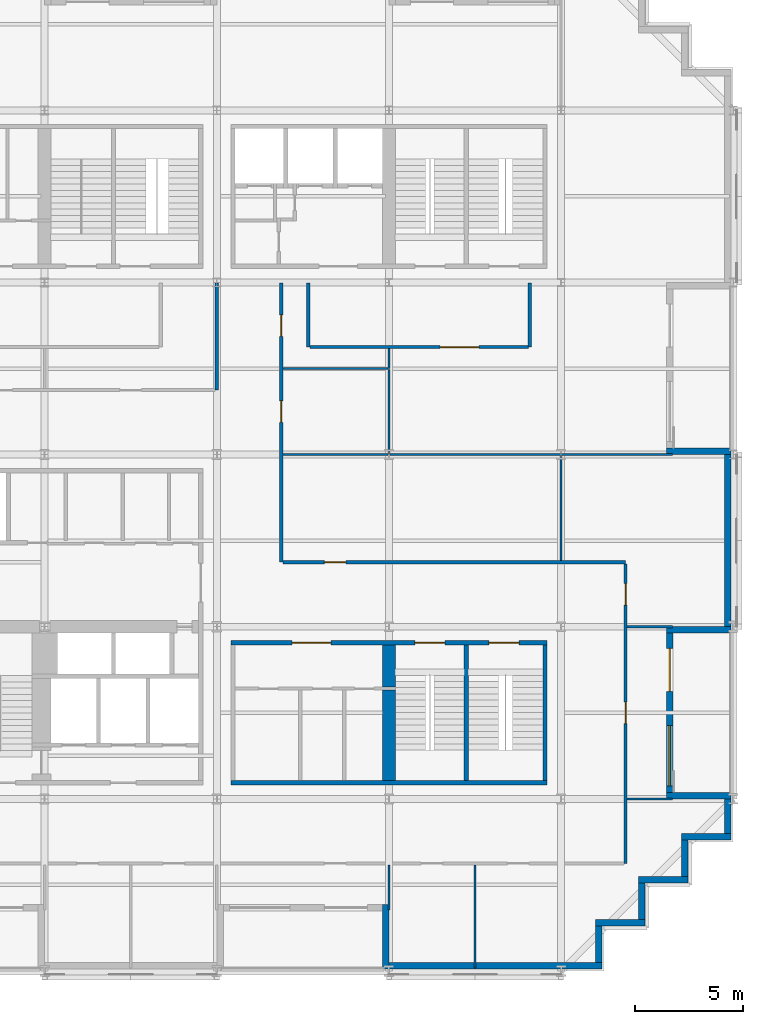
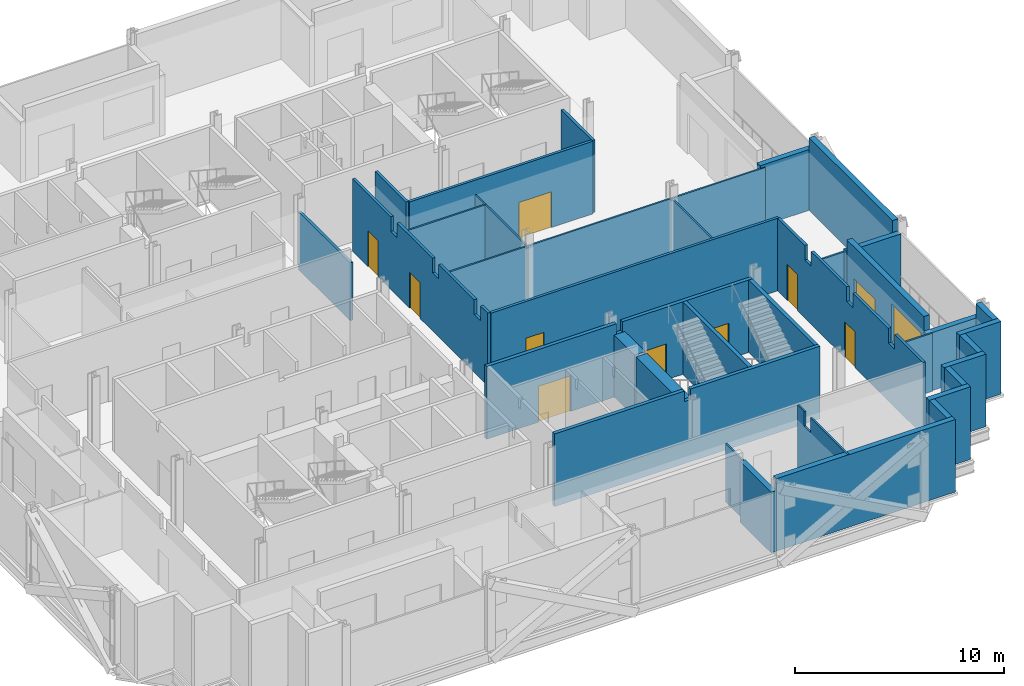
# One storey, part 7 of 12: 38 walls, 10 doors, 1 window, 11 openings.
"""IFC4 building model written with IfcOpenShell, lengths in metres."""

from ifc_helpers import new_model, si_unit, direction, frame, frame_2d, origin, place, context, subcontext, project, spatial, polyline, rectangle, outline, extrude, material, layer, layer_set, type_object, element, fill, save


model = new_model("IFC4")

# Units and contexts
model_context = context("Model", 3, precision=1e-05, world=origin(), true_north=direction((0.0, 1.0)))
body_context = subcontext(model_context, "Body", "Model", "MODEL_VIEW")
ifc_project = project(units=[si_unit("LENGTHUNIT", "METRE"), si_unit("AREAUNIT", "SQUARE_METRE"), si_unit("VOLUMEUNIT", "CUBIC_METRE"), si_unit("PLANEANGLEUNIT", "RADIAN"), si_unit("MASSUNIT", "GRAM", prefix="KILO")], contexts=[model_context])

# Site, building, storey
site_placement = place(None, origin())
site = spatial("IfcSite", under=ifc_project, at=site_placement, CompositionType="ELEMENT")
building_placement = place(site_placement, origin())
building = spatial("IfcBuilding", under=site, at=building_placement, Name="Immortelle Media Tower", CompositionType="ELEMENT")
storey_placement = place(building_placement, frame((0.0, 0.0, 52.39990234375)))
storey = spatial("IfcBuildingStorey", under=building, at=storey_placement, Name="L08", CompositionType="ELEMENT", Elevation=52.39990234375)

# Wall, openings, doors
ifc_material_1 = material(Name="Fire-rated gypsum board", Category="gypsum")
ifc_layer_1 = layer(ifc_material_1, 0.012451171875)
ifc_material_2 = material(Name="Steel ASTM A653 SS Gr 50 stud frame with mineral wool", Category="steel")
ifc_layer_2 = layer(ifc_material_2, 0.125)
ifc_layer_3 = layer(ifc_material_1, 0.012451171875)
ifc_layer_set_1 = layer_set([ifc_layer_1, ifc_layer_2, ifc_layer_3], Name="Steel ASTM A653 SS Gr 50 stud frame with mineral wool")
wall_type_1 = type_object("IfcWallType", Name="Corridor wall 150", PredefinedType="PARTITIONING", material=ifc_layer_set_1)
wall_1_placement = place(storey_placement, frame((43.0, 5.0, 0.0), z_axis=(0.0, 0.0, 1.0), x_axis=(0.0, 1.0, 0.0)))
wall_1 = element("IfcWall", 1, at=wall_1_placement, inside=storey, type_object=wall_type_1, Name="Partition L08-009", PredefinedType="PARTITIONING", context=body_context, shape_type="SweptSolid", body=[
    extrude(outline(polyline([(0.0, 0.0), (13.925048828125, 0.0), (13.925048828125, 4.25), (11.300048828125, 4.25), (11.298095703125, 3.39111328125), (10.701904296875, 3.39111328125), (10.699951171875, 4.25), (7.300048828125, 4.25), (7.298095703125, 3.39111328125), (6.701904296875, 3.39111328125), (6.699951171875, 4.25), (3.300048828125, 4.25), (3.298095703125, 3.39111328125), (2.701904296875, 3.39111328125), (2.699951171875, 4.25), (0.0, 4.25), (0.0, 0.0)])), frame((0.0, 0.074951171875, 0.0), z_axis=(0.0, -1.0, 0.0), x_axis=(1.0, 0.0, 0.0)), (0.0, 0.0, 1.0), 0.14990234375),
])
opening_1_placement = place(wall_1_placement, frame((7.5, 0.0, 0.0), z_axis=(0.0, 0.0, 1.0), x_axis=(-1.0, 0.0, 0.0)))
opening_1 = element("IfcOpeningElement", 2, at=opening_1_placement, cuts=wall_1, Name="Opening N2-F008", PredefinedType="OPENING", context=body_context, shape_type="SweptSolid", body=[
    extrude(rectangle(XDim=1.0, YDim=2.10009765625, at=frame_2d((0.5, 1.050048828125))), frame((0.0, 0.0849609375, 0.0), z_axis=(0.0, -1.0, 0.0), x_axis=(1.0, 0.0, 0.0)), (0.0, 0.0, 1.0), 0.169921875),
])
opening_2_placement = place(wall_1_placement, frame((13.0, 0.0, 0.0), z_axis=(0.0, 0.0, 1.0), x_axis=(-1.0, 0.0, 0.0)))
opening_2 = element("IfcOpeningElement", 3, at=opening_2_placement, cuts=wall_1, Name="Opening N2-F011", PredefinedType="OPENING", context=body_context, shape_type="SweptSolid", body=[
    extrude(rectangle(XDim=1.0, YDim=2.10009765625, at=frame_2d((0.5, 1.050048828125))), frame((0.0, 0.0849609375, 0.0), z_axis=(0.0, -1.0, 0.0), x_axis=(1.0, 0.0, 0.0)), (0.0, 0.0, 1.0), 0.169921875),
])
ifc_material_3 = material(Name="Timber veneered door leaf, galvanised steel frame ASTM A653", Category="steel")
door_type_1 = type_object("IfcDoorType", Name="Room door 1000 x 2100", OperationType="NOTDEFINED", PredefinedType="DOOR", material=ifc_material_3)
door_1_placement = place(opening_1_placement, origin())
door_1 = element("IfcDoor", 4, at=door_1_placement, inside=storey, type_object=door_type_1, Name="Door N2-F008", OperationType="SINGLE_SWING_LEFT", OverallHeight=2.10009765625, OverallWidth=1.0, PredefinedType="DOOR", context=body_context, shape_type="SweptSolid", body=[
    extrude(rectangle(XDim=1.0, YDim=2.10009765625, at=frame_2d((0.5, 1.050048828125))), frame((0.0, 0.02490234375, 0.0), z_axis=(0.0, -1.0, 0.0), x_axis=(1.0, 0.0, 0.0)), (0.0, 0.0, 1.0), 0.050048828125),
])
fill(opening_1, door_1)
door_2_placement = place(opening_2_placement, origin())
door_2 = element("IfcDoor", 5, at=door_2_placement, inside=storey, type_object=door_type_1, Name="Door N2-F011", OperationType="SINGLE_SWING_RIGHT", OverallHeight=2.10009765625, OverallWidth=1.0, PredefinedType="DOOR", context=body_context, shape_type="SweptSolid", body=[
    extrude(rectangle(XDim=1.0, YDim=2.10009765625, at=frame_2d((0.5, 1.050048828125))), frame((0.0, 0.02490234375, 0.0), z_axis=(0.0, -1.0, 0.0), x_axis=(1.0, 0.0, 0.0)), (0.0, 0.0, 1.0), 0.050048828125),
])
fill(opening_2, door_2)

# Wall, opening, door
wall_2_placement = place(storey_placement, frame((27.074951171875, 19.0, 0.0), z_axis=(0.0, 0.0, 1.0), x_axis=(1.0, 0.0, 0.0)))
wall_2 = element("IfcWall", 6, at=wall_2_placement, inside=storey, type_object=wall_type_1, Name="Partition L08-013", PredefinedType="PARTITIONING", context=body_context, shape_type="SweptSolid", body=[
    extrude(rectangle(XDim=15.925048828125, YDim=0.14990234375, at=frame_2d((7.96240234375, 0.0))), origin(), (0.0, 0.0, 1.0), 4.25),
])
opening_3_placement = place(wall_2_placement, frame((1.925048828125, 0.0, 0.0)))
opening_3 = element("IfcOpeningElement", 7, at=opening_3_placement, cuts=wall_2, Name="Opening N2-F012", PredefinedType="OPENING", context=body_context, shape_type="SweptSolid", body=[
    extrude(rectangle(XDim=1.0, YDim=2.10009765625, at=frame_2d((0.5, 1.050048828125))), frame((0.0, 0.0849609375, 0.0), z_axis=(0.0, -1.0, 0.0), x_axis=(1.0, 0.0, 0.0)), (0.0, 0.0, 1.0), 0.169921875),
])
door_3_placement = place(opening_3_placement, origin())
door_3 = element("IfcDoor", 8, at=door_3_placement, inside=storey, type_object=door_type_1, Name="Door N2-F012", OperationType="SINGLE_SWING_LEFT", OverallHeight=2.10009765625, OverallWidth=1.0, PredefinedType="DOOR", context=body_context, shape_type="SweptSolid", body=[
    extrude(rectangle(XDim=1.0, YDim=2.10009765625, at=frame_2d((0.5, 1.050048828125))), frame((0.0, 0.02490234375, 0.0), z_axis=(0.0, -1.0, 0.0), x_axis=(1.0, 0.0, 0.0)), (0.0, 0.0, 1.0), 0.050048828125),
])
fill(opening_3, door_3)

# Wall, openings, doors
wall_3_placement = place(storey_placement, frame((27.0, 19.0, 0.0), z_axis=(0.0, 0.0, 1.0), x_axis=(0.0, 1.0, 0.0)))
wall_3 = element("IfcWall", 9, at=wall_3_placement, inside=storey, type_object=wall_type_1, Name="Partition L08-014", PredefinedType="PARTITIONING", context=body_context, shape_type="SweptSolid", body=[
    extrude(outline(polyline([(0.0, 0.0), (12.969970703125, 0.0), (12.969970703125, 4.25), (9.300048828125, 4.25), (9.298095703125, 3.39111328125), (8.701904296875, 3.39111328125), (8.699951171875, 4.25), (5.300048828125, 4.25), (5.298095703125, 3.39111328125), (4.701904296875, 3.39111328125), (4.699951171875, 4.25), (1.300048828125, 4.25), (1.298095703125, 3.39111328125), (0.701904296875, 3.39111328125), (0.699951171875, 4.25), (0.0, 4.25), (0.0, 0.0)])), frame((0.0, 0.074951171875, 0.0), z_axis=(0.0, -1.0, 0.0), x_axis=(1.0, 0.0, 0.0)), (0.0, 0.0, 1.0), 0.14990234375),
])
opening_4_placement = place(wall_3_placement, frame((7.5, 0.0, 0.0), z_axis=(0.0, 0.0, 1.0), x_axis=(-1.0, 0.0, 0.0)))
opening_4 = element("IfcOpeningElement", 10, at=opening_4_placement, cuts=wall_3, Name="Opening N2-F013", PredefinedType="OPENING", context=body_context, shape_type="SweptSolid", body=[
    extrude(rectangle(XDim=1.0, YDim=2.10009765625, at=frame_2d((0.5, 1.050048828125))), frame((0.0, 0.0849609375, 0.0), z_axis=(0.0, -1.0, 0.0), x_axis=(1.0, 0.0, 0.0)), (0.0, 0.0, 1.0), 0.169921875),
])
opening_5_placement = place(wall_3_placement, frame((11.5, 0.0, 0.0), z_axis=(0.0, 0.0, 1.0), x_axis=(-1.0, 0.0, 0.0)))
opening_5 = element("IfcOpeningElement", 11, at=opening_5_placement, cuts=wall_3, Name="Opening N2-F014", PredefinedType="OPENING", context=body_context, shape_type="SweptSolid", body=[
    extrude(rectangle(XDim=1.0, YDim=2.10009765625, at=frame_2d((0.5, 1.050048828125))), frame((0.0, 0.0849609375, 0.0), z_axis=(0.0, -1.0, 0.0), x_axis=(1.0, 0.0, 0.0)), (0.0, 0.0, 1.0), 0.169921875),
])
door_4_placement = place(opening_4_placement, origin())
door_4 = element("IfcDoor", 12, at=door_4_placement, inside=storey, type_object=door_type_1, Name="Door N2-F013", OperationType="SINGLE_SWING_LEFT", OverallHeight=2.10009765625, OverallWidth=1.0, PredefinedType="DOOR", context=body_context, shape_type="SweptSolid", body=[
    extrude(rectangle(XDim=1.0, YDim=2.10009765625, at=frame_2d((0.5, 1.050048828125))), frame((0.0, 0.02490234375, 0.0), z_axis=(0.0, -1.0, 0.0), x_axis=(1.0, 0.0, 0.0)), (0.0, 0.0, 1.0), 0.050048828125),
])
fill(opening_4, door_4)
door_5_placement = place(opening_5_placement, origin())
door_5 = element("IfcDoor", 13, at=door_5_placement, inside=storey, type_object=door_type_1, Name="Door N2-F014", OperationType="SINGLE_SWING_RIGHT", OverallHeight=2.10009765625, OverallWidth=1.0, PredefinedType="DOOR", context=body_context, shape_type="SweptSolid", body=[
    extrude(rectangle(XDim=1.0, YDim=2.10009765625, at=frame_2d((0.5, 1.050048828125))), frame((0.0, 0.02490234375, 0.0), z_axis=(0.0, -1.0, 0.0), x_axis=(1.0, 0.0, 0.0)), (0.0, 0.0, 1.0), 0.050048828125),
])
fill(opening_5, door_5)

# Wall
wall_4_placement = place(storey_placement, frame((24.0, 27.0, 0.0), z_axis=(0.0, 0.0, 1.0), x_axis=(0.0, 1.0, 0.0)))
element("IfcWall", 14, at=wall_4_placement, inside=storey, type_object=wall_type_1, Name="Partition L08-026", PredefinedType="PARTITIONING", context=body_context, shape_type="SweptSolid", body=[
    extrude(rectangle(XDim=4.969970703125, YDim=0.14990234375, at=frame_2d((2.48486328125, 0.0))), origin(), (0.0, 0.0, 1.0), 3.39111328125),
])

# Wall, opening, door
wall_5_placement = place(storey_placement, frame((28.324951171875, 29.0, 0.0), z_axis=(0.0, 0.0, 1.0), x_axis=(1.0, 0.0, 0.0)))
wall_5 = element("IfcWall", 15, at=wall_5_placement, inside=storey, type_object=wall_type_1, Name="Partition L08-032", PredefinedType="PARTITIONING", context=body_context, shape_type="SweptSolid", body=[
    extrude(rectangle(XDim=10.150146484375, YDim=0.14990234375, at=frame_2d((5.0751953125, 0.0))), origin(), (0.0, 0.0, 1.0), 4.25),
])
opening_6_placement = place(wall_5_placement, frame((6.050048828125, 0.0, 0.0)))
opening_6 = element("IfcOpeningElement", 16, at=opening_6_placement, cuts=wall_5, Name="Opening N2-F018", PredefinedType="OPENING", context=body_context, shape_type="SweptSolid", body=[
    extrude(rectangle(XDim=1.800048828125, YDim=2.10009765625, at=frame_2d((0.89990234375, 1.050048828125))), frame((0.0, 0.0849609375, 0.0), z_axis=(0.0, -1.0, 0.0), x_axis=(1.0, 0.0, 0.0)), (0.0, 0.0, 1.0), 0.169921875),
])
door_type_2 = type_object("IfcDoorType", Name="Room door 1800 x 2100", OperationType="DOUBLE_DOOR_SINGLE_SWING", PredefinedType="DOOR", material=ifc_material_3)
door_6_placement = place(opening_6_placement, origin())
door_6 = element("IfcDoor", 17, at=door_6_placement, inside=storey, type_object=door_type_2, Name="Door N2-F018", OperationType="DOUBLE_DOOR_SINGLE_SWING", OverallHeight=2.10009765625, OverallWidth=1.800048828125, PredefinedType="DOOR", context=body_context, shape_type="SweptSolid", body=[
    extrude(rectangle(XDim=1.800048828125, YDim=2.10009765625, at=frame_2d((0.89990234375, 1.050048828125))), frame((0.0, 0.02490234375, 0.0), z_axis=(0.0, -1.0, 0.0), x_axis=(1.0, 0.0, 0.0)), (0.0, 0.0, 1.0), 0.050048828125),
])
fill(opening_6, door_6)

# Walls
for number, where, z_axis, x_axis, name in (
    (18, (28.25, 29.0, 0.0), (0.0, 0.0, 1.0), (0.0, 1.0, 0.0), "Partition L08-033"),
    (19, (38.550048828125, 29.0, 0.0), (0.0, 0.0, 1.0), (0.0, 1.0, 0.0), "Partition L08-034"),
):
    element("IfcWall", number, at=place(storey_placement, frame(where, z_axis=z_axis, x_axis=x_axis)), inside=storey, type_object=wall_type_1, Name=name, PredefinedType="PARTITIONING", context=body_context, shape_type="SweptSolid", body=[
        extrude(rectangle(XDim=2.969970703125, YDim=0.14990234375, at=frame_2d((1.48486328125, 0.0))), origin(), (0.0, 0.0, 1.0), 4.25),
    ])
ifc_material_4 = material(Name="Pale aluminium cladding panel", Category="aluminium")
ifc_layer_4 = layer(ifc_material_4, 0.030029296875)
ifc_layer_5 = layer(ifc_material_2, 0.257568359375)
ifc_material_5 = material(Name="Moisture-resistant gypsum board", Category="gypsum")
ifc_layer_6 = layer(ifc_material_5, 0.012451171875)
ifc_layer_set_2 = layer_set([ifc_layer_4, ifc_layer_5, ifc_layer_6], Name="Steel ASTM A653 SS Gr 50 stud frame with mineral wool")
wall_type_2 = type_object("IfcWallType", Name="Facade wall 300", PredefinedType="SOLIDWALL", material=ifc_layer_set_2)
wall_6_placement = place(storey_placement, frame((31.85009765625, 0.10009765625, 0.0), z_axis=(0.0, 0.0, 1.0), x_axis=(0.0, 1.0, 0.0)))
element("IfcWall", 20, at=wall_6_placement, inside=storey, type_object=wall_type_2, Name="Loggia cheek wall L08 S", PredefinedType="SOLIDWALL", context=body_context, shape_type="SweptSolid", body=[
    extrude(rectangle(XDim=3.0, YDim=0.300048828125, at=frame_2d((1.5, 0.0))), origin(), (0.0, 0.0, 1.0), 3.552978515625),
])
wall_7_placement = place(storey_placement, frame((32.0, 0.25, 0.0), z_axis=(0.0, 0.0, 1.0), x_axis=(1.0, 0.0, 0.0)))
element("IfcWall", 21, at=wall_7_placement, inside=storey, type_object=wall_type_2, Name="Facade wall L08 S7", PredefinedType="SOLIDWALL", context=body_context, shape_type="SweptSolid", body=[
    extrude(rectangle(XDim=9.89990234375, YDim=0.300048828125, at=frame_2d((4.949951171875, 0.0))), origin(), (0.0, 0.0, 1.0), 4.25),
])
wall_8_placement = place(storey_placement, frame((41.75, 0.39990234375, 0.0), z_axis=(0.0, 0.0, 1.0), x_axis=(0.0, 1.0, 0.0)))
element("IfcWall", 22, at=wall_8_placement, inside=storey, type_object=wall_type_2, Name="Facade wall L08 E8", PredefinedType="SOLIDWALL", context=body_context, shape_type="SweptSolid", body=[
    extrude(rectangle(XDim=1.7001953125, YDim=0.300048828125, at=frame_2d((0.85009765625, 0.0))), origin(), (0.0, 0.0, 1.0), 4.25),
])
wall_9_placement = place(storey_placement, frame((41.60009765625, 2.25, 0.0), z_axis=(0.0, 0.0, 1.0), x_axis=(1.0, 0.0, 0.0)))
element("IfcWall", 23, at=wall_9_placement, inside=storey, type_object=wall_type_2, Name="Facade wall L08 S9", PredefinedType="SOLIDWALL", context=body_context, shape_type="SweptSolid", body=[
    extrude(rectangle(XDim=2.2998046875, YDim=0.300048828125, at=frame_2d((1.14990234375, 0.0))), origin(), (0.0, 0.0, 1.0), 4.25),
])
wall_10_placement = place(storey_placement, frame((43.75, 2.39990234375, 0.0), z_axis=(0.0, 0.0, 1.0), x_axis=(0.0, 1.0, 0.0)))
element("IfcWall", 24, at=wall_10_placement, inside=storey, type_object=wall_type_2, Name="Facade wall L08 E10", PredefinedType="SOLIDWALL", context=body_context, shape_type="SweptSolid", body=[
    extrude(rectangle(XDim=1.7001953125, YDim=0.300048828125, at=frame_2d((0.85009765625, 0.0))), origin(), (0.0, 0.0, 1.0), 4.25),
])
wall_11_placement = place(storey_placement, frame((43.60009765625, 4.25, 0.0), z_axis=(0.0, 0.0, 1.0), x_axis=(1.0, 0.0, 0.0)))
element("IfcWall", 25, at=wall_11_placement, inside=storey, type_object=wall_type_2, Name="Facade wall L08 S11", PredefinedType="SOLIDWALL", context=body_context, shape_type="SweptSolid", body=[
    extrude(rectangle(XDim=2.2998046875, YDim=0.300048828125, at=frame_2d((1.14990234375, 0.0))), origin(), (0.0, 0.0, 1.0), 4.25),
])
wall_12_placement = place(storey_placement, frame((45.75, 4.39990234375, 0.0), z_axis=(0.0, 0.0, 1.0), x_axis=(0.0, 1.0, 0.0)))
element("IfcWall", 26, at=wall_12_placement, inside=storey, type_object=wall_type_2, Name="Facade wall L08 E12", PredefinedType="SOLIDWALL", context=body_context, shape_type="SweptSolid", body=[
    extrude(rectangle(XDim=1.7001953125, YDim=0.300048828125, at=frame_2d((0.85009765625, 0.0))), origin(), (0.0, 0.0, 1.0), 4.25),
])
wall_13_placement = place(storey_placement, frame((45.60009765625, 6.25, 0.0), z_axis=(0.0, 0.0, 1.0), x_axis=(1.0, 0.0, 0.0)))
element("IfcWall", 27, at=wall_13_placement, inside=storey, type_object=wall_type_2, Name="Facade wall L08 S13", PredefinedType="SOLIDWALL", context=body_context, shape_type="SweptSolid", body=[
    extrude(rectangle(XDim=2.2998046875, YDim=0.300048828125, at=frame_2d((1.14990234375, 0.0))), origin(), (0.0, 0.0, 1.0), 4.25),
])
wall_14_placement = place(storey_placement, frame((47.75, 6.39990234375, 0.0), z_axis=(0.0, 0.0, 1.0), x_axis=(0.0, 1.0, 0.0)))
element("IfcWall", 28, at=wall_14_placement, inside=storey, type_object=wall_type_2, Name="Facade wall L08 E14", PredefinedType="SOLIDWALL", context=body_context, shape_type="SweptSolid", body=[
    extrude(rectangle(XDim=1.60009765625, YDim=0.300048828125, at=frame_2d((0.800048828125, 0.0))), origin(), (0.0, 0.0, 1.0), 4.25),
])

# Wall, openings, door, window
wall_15_placement = place(storey_placement, frame((45.050048828125, 8.300048828125, 0.0), z_axis=(0.0, 0.0, 1.0), x_axis=(0.0, 1.0, 0.0)))
wall_15 = element("IfcWall", 29, at=wall_15_placement, inside=storey, type_object=wall_type_2, Name="Loggia wall L08 E14", PredefinedType="SOLIDWALL", context=body_context, shape_type="SweptSolid", body=[
    extrude(rectangle(XDim=7.39990234375, YDim=0.300048828125, at=frame_2d((3.699951171875, 0.0))), origin(), (0.0, 0.0, 1.0), 4.25),
])
opening_7_placement = place(wall_15_placement, frame((0.300048828125, 0.0, 0.89990234375)))
opening_7 = element("IfcOpeningElement", 30, at=opening_7_placement, cuts=wall_15, Name="Opening W1", PredefinedType="OPENING", context=body_context, shape_type="SweptSolid", body=[
    extrude(rectangle(XDim=2.800048828125, YDim=2.199951171875, at=frame_2d((1.39990234375, 1.10009765625))), frame((0.0, 0.159912109375, 0.0), z_axis=(0.0, -1.0, 0.0), x_axis=(1.0, 0.0, 0.0)), (0.0, 0.0, 1.0), 0.320068359375),
])
opening_8_placement = place(wall_15_placement, frame((4.699951171875, 0.0, 0.0)))
opening_8 = element("IfcOpeningElement", 31, at=opening_8_placement, cuts=wall_15, Name="Opening N2-E005", PredefinedType="OPENING", context=body_context, shape_type="SweptSolid", body=[
    extrude(rectangle(XDim=2.0, YDim=2.39990234375, at=frame_2d((1.0, 1.199951171875))), frame((0.0, 0.159912109375, 0.0), z_axis=(0.0, -1.0, 0.0), x_axis=(1.0, 0.0, 0.0)), (0.0, 0.0, 1.0), 0.320068359375),
])
ifc_material_6 = material(Name="Aluminium frame, glazed leaves", Category="aluminium")
door_type_3 = type_object("IfcDoorType", Name="Loggia door 2000 x 2400", OperationType="DOUBLE_DOOR_SINGLE_SWING", PredefinedType="DOOR", material=ifc_material_6)
door_7_placement = place(opening_8_placement, origin())
door_7 = element("IfcDoor", 32, at=door_7_placement, inside=storey, type_object=door_type_3, Name="Door N2-E005", OperationType="DOUBLE_DOOR_SINGLE_SWING", OverallHeight=2.39990234375, OverallWidth=2.0, PredefinedType="DOOR", context=body_context, shape_type="SweptSolid", body=[
    extrude(rectangle(XDim=2.0, YDim=2.39990234375, at=frame_2d((1.0, 1.199951171875))), frame((0.0, 0.02490234375, 0.0), z_axis=(0.0, -1.0, 0.0), x_axis=(1.0, 0.0, 0.0)), (0.0, 0.0, 1.0), 0.050048828125),
])
fill(opening_8, door_7)
ifc_material_7 = material(Name="Aluminium frame", Category="aluminium")
window_type = type_object("IfcWindowType", Name="Window 2800 x 2200", PartitioningType="SINGLE_PANEL", PredefinedType="WINDOW", material=ifc_material_7)
window_placement = place(opening_7_placement, origin())
window = element("IfcWindow", 33, at=window_placement, inside=storey, type_object=window_type, Name="Window L08 L08-R14-B0", OverallHeight=2.199951171875, OverallWidth=2.800048828125, PartitioningType="SINGLE_PANEL", PredefinedType="WINDOW", context=body_context, shape_type="SweptSolid", body=[
    extrude(rectangle(XDim=2.800048828125, YDim=2.199951171875, at=frame_2d((1.39990234375, 1.10009765625))), frame((0.0, 0.030029296875, 0.0), z_axis=(0.0, -1.0, 0.0), x_axis=(1.0, 0.0, 0.0)), (0.0, 0.0, 1.0), 0.06005859375),
])
fill(opening_7, window)

# Walls
wall_16_placement = place(storey_placement, frame((47.89990234375, 8.14990234375, 0.0), z_axis=(0.0, 0.0, 1.0), x_axis=(-1.0, 0.0, 0.0)))
element("IfcWall", 34, at=wall_16_placement, inside=storey, type_object=wall_type_2, Name="Loggia cheek wall L08 E", PredefinedType="SOLIDWALL", context=body_context, shape_type="SweptSolid", body=[
    extrude(rectangle(XDim=3.0, YDim=0.300048828125, at=frame_2d((1.5, 0.0))), origin(), (0.0, 0.0, 1.0), 3.39013671875),
])
wall_17_placement = place(storey_placement, frame((47.89990234375, 15.85009765625, 0.0), z_axis=(0.0, 0.0, 1.0), x_axis=(-1.0, 0.0, 0.0)))
element("IfcWall", 35, at=wall_17_placement, inside=storey, type_object=wall_type_2, Name="Loggia cheek wall L08 E", PredefinedType="SOLIDWALL", context=body_context, shape_type="SweptSolid", body=[
    extrude(rectangle(XDim=3.0, YDim=0.300048828125, at=frame_2d((1.5, 0.0))), origin(), (0.0, 0.0, 1.0), 3.552978515625),
])
wall_18_placement = place(storey_placement, frame((47.75, 16.0, 0.0), z_axis=(0.0, 0.0, 1.0), x_axis=(0.0, 1.0, 0.0)))
element("IfcWall", 36, at=wall_18_placement, inside=storey, type_object=wall_type_2, Name="Facade wall L08 E14", PredefinedType="SOLIDWALL", context=body_context, shape_type="SweptSolid", body=[
    extrude(rectangle(XDim=8.0, YDim=0.300048828125, at=frame_2d((4.0, 0.0))), origin(), (0.0, 0.0, 1.0), 4.25),
])
wall_19_placement = place(storey_placement, frame((47.89990234375, 24.14990234375, 0.0), z_axis=(0.0, 0.0, 1.0), x_axis=(-1.0, 0.0, 0.0)))
element("IfcWall", 37, at=wall_19_placement, inside=storey, type_object=wall_type_2, Name="Loggia cheek wall L08 E", PredefinedType="SOLIDWALL", context=body_context, shape_type="SweptSolid", body=[
    extrude(rectangle(XDim=3.0, YDim=0.300048828125, at=frame_2d((1.5, 0.0))), origin(), (0.0, 0.0, 1.0), 3.552978515625),
])
ifc_material_8 = material(Name="Gypsum board", Category="gypsum")
ifc_layer_7 = layer(ifc_material_8, 0.012451171875)
ifc_layer_8 = layer(ifc_material_2, 0.074951171875)
ifc_layer_9 = layer(ifc_material_8, 0.012451171875)
ifc_layer_set_3 = layer_set([ifc_layer_7, ifc_layer_8, ifc_layer_9], Name="Steel ASTM A653 SS Gr 50 stud frame with mineral wool")
wall_type_3 = type_object("IfcWallType", Name="Partition 100", PredefinedType="PARTITIONING", material=ifc_layer_set_3)
wall_20_placement = place(storey_placement, frame((36.0, 0.1298828125, 0.0), z_axis=(0.0, 0.0, 1.0), x_axis=(0.0, 1.0, 0.0)))
element("IfcWall", 38, at=wall_20_placement, inside=storey, type_object=wall_type_3, Name="Partition L08-002", PredefinedType="PARTITIONING", context=body_context, shape_type="SweptSolid", body=[
    extrude(outline(polyline([(0.0, 0.0), (4.795166015625, 0.0), (4.794921875, 4.25), (4.169921875, 4.25), (4.16796875, 3.39111328125), (3.572021484375, 3.39111328125), (3.570068359375, 4.25), (0.0, 4.25), (0.0, 0.0)])), frame((0.0, 0.050048828125, 0.0), z_axis=(0.0, -1.0, 0.0), x_axis=(1.0, 0.0, 0.0)), (0.0, 0.0, 1.0), 0.10009765625),
])
for number, where, z_axis, x_axis, name in (
    (39, (32.0, 2.830078125, 0.0), (0.0, 0.0, 1.0), (0.0, 1.0, 0.0), "Partition L08-006"),
    (40, (43.074951171875, 8.0, 0.0), (0.0, 0.0, 1.0), (1.0, 0.0, 0.0), "Partition L08-010"),
    (41, (43.074951171875, 16.0, 0.0), (0.0, 0.0, 1.0), (1.0, 0.0, 0.0), "Partition L08-012"),
):
    element("IfcWall", number, at=place(storey_placement, frame(where, z_axis=z_axis, x_axis=x_axis)), inside=storey, type_object=wall_type_3, Name=name, PredefinedType="PARTITIONING", context=body_context, shape_type="SweptSolid", body=[
        extrude(rectangle(XDim=2.094970703125, YDim=0.10009765625, at=frame_2d((1.04736328125, 0.0))), origin(), (0.0, 0.0, 1.0), 3.39111328125),
    ])
for number, where, z_axis, x_axis, name in (
    (42, (40.0, 19.074951171875, 0.0), (0.0, 0.0, 1.0), (0.0, 1.0, 0.0), "Partition L08-015"),
    (43, (27.074951171875, 24.0, 0.0), (0.0, 0.0, 1.0), (1.0, 0.0, 0.0), "Partition L08-018"),
):
    element("IfcWall", number, at=place(storey_placement, frame(where, z_axis=z_axis, x_axis=x_axis)), inside=storey, type_object=wall_type_3, Name=name, PredefinedType="PARTITIONING", context=body_context, shape_type="SweptSolid", body=[
        extrude(rectangle(XDim=4.875, YDim=0.10009765625, at=frame_2d((2.4375, 0.0))), origin(), (0.0, 0.0, 1.0), 3.39111328125),
    ])
wall_21_placement = place(storey_placement, frame((32.050048828125, 24.0, 0.0), z_axis=(0.0, 0.0, 1.0), x_axis=(1.0, 0.0, 0.0)))
element("IfcWall", 44, at=wall_21_placement, inside=storey, type_object=wall_type_3, Name="Partition L08-019", PredefinedType="PARTITIONING", context=body_context, shape_type="SweptSolid", body=[
    extrude(rectangle(XDim=7.949951171875, YDim=0.10009765625, at=frame_2d((3.97509765625, 0.0))), origin(), (0.0, 0.0, 1.0), 3.39111328125),
])
wall_22_placement = place(storey_placement, frame((32.0, 24.0, 0.0), z_axis=(0.0, 0.0, 1.0), x_axis=(0.0, 1.0, 0.0)))
element("IfcWall", 45, at=wall_22_placement, inside=storey, type_object=wall_type_3, Name="Partition L08-020", PredefinedType="PARTITIONING", context=body_context, shape_type="SweptSolid", body=[
    extrude(rectangle(XDim=3.949951171875, YDim=0.10009765625, at=frame_2d((1.97509765625, 0.0))), origin(), (0.0, 0.0, 1.0), 3.39111328125),
])
wall_23_placement = place(storey_placement, frame((40.0, 24.0, 0.0), z_axis=(0.0, 0.0, 1.0), x_axis=(1.0, 0.0, 0.0)))
element("IfcWall", 46, at=wall_23_placement, inside=storey, type_object=wall_type_3, Name="Partition L08-021", PredefinedType="PARTITIONING", context=body_context, shape_type="SweptSolid", body=[
    extrude(rectangle(XDim=5.169921875, YDim=0.10009765625, at=frame_2d((2.5849609375, 0.0))), origin(), (0.0, 0.0, 1.0), 3.39111328125),
])
wall_24_placement = place(storey_placement, frame((27.074951171875, 28.0, 0.0), z_axis=(0.0, 0.0, 1.0), x_axis=(1.0, 0.0, 0.0)))
element("IfcWall", 47, at=wall_24_placement, inside=storey, type_object=wall_type_3, Name="Partition L08-027", PredefinedType="PARTITIONING", context=body_context, shape_type="SweptSolid", body=[
    extrude(rectangle(XDim=4.875, YDim=0.10009765625, at=frame_2d((2.4375, 0.0))), origin(), (0.0, 0.0, 1.0), 3.39111328125),
])
wall_25_placement = place(storey_placement, frame((32.0, 28.0, 0.0), z_axis=(0.0, 0.0, 1.0), x_axis=(0.0, 1.0, 0.0)))
element("IfcWall", 48, at=wall_25_placement, inside=storey, type_object=wall_type_3, Name="Partition L08-028", PredefinedType="PARTITIONING", context=body_context, shape_type="SweptSolid", body=[
    extrude(rectangle(XDim=0.925048828125, YDim=0.10009765625, at=frame_2d((0.46240234375, 0.0))), origin(), (0.0, 0.0, 1.0), 3.39111328125),
])
ifc_material_9 = material(Name="Concrete C60", Category="concrete")
ifc_layer_10 = layer(ifc_material_9, 0.199951171875)
ifc_layer_set_4 = layer_set([ifc_layer_10], Name="Concrete C60")
wall_type_4 = type_object("IfcWallType", Name="Stair shaft wall 200", PredefinedType="PARTITIONING", material=ifc_layer_set_4)
wall_26_placement = place(storey_placement, frame((24.64990234375, 8.75, 0.0), z_axis=(0.0, 0.0, 1.0), x_axis=(1.0, 0.0, 0.0)))
element("IfcWall", 49, at=wall_26_placement, inside=storey, type_object=wall_type_4, Name="Stair shaft wall SE", PredefinedType="PARTITIONING", context=body_context, shape_type="SweptSolid", body=[
    extrude(outline(polyline([(0.0, 0.0), (14.7001953125, 0.0), (14.699951171875, 4.25), (7.51708984375, 4.25), (7.51611328125, 3.632080078125), (7.18408203125, 3.632080078125), (7.18310546875, 4.25), (0.0, 4.25), (0.0, 0.0)])), frame((0.0, 0.10009765625, 0.0), z_axis=(0.0, -1.0, 0.0), x_axis=(1.0, 0.0, 0.0)), (0.0, 0.0, 1.0), 0.199951171875),
])

# Wall, openings, doors
wall_27_placement = place(storey_placement, frame((24.64990234375, 15.25, 0.0), z_axis=(0.0, 0.0, 1.0), x_axis=(1.0, 0.0, 0.0)))
wall_27 = element("IfcWall", 50, at=wall_27_placement, inside=storey, type_object=wall_type_4, Name="Stair shaft wall SE", PredefinedType="PARTITIONING", context=body_context, shape_type="SweptSolid", body=[
    extrude(outline(polyline([(0.0, 0.0), (14.7001953125, 0.0), (14.699951171875, 4.25), (7.51708984375, 4.25), (7.51611328125, 3.632080078125), (7.18408203125, 3.632080078125), (7.18310546875, 4.25), (0.0, 4.25), (0.0, 0.0)])), frame((0.0, 0.10009765625, 0.0), z_axis=(0.0, -1.0, 0.0), x_axis=(1.0, 0.0, 0.0)), (0.0, 0.0, 1.0), 0.199951171875),
])
opening_9_placement = place(wall_27_placement, frame((2.85009765625, 0.0, 0.0)))
opening_9 = element("IfcOpeningElement", 51, at=opening_9_placement, cuts=wall_27, Name="Opening N2-K019", PredefinedType="OPENING", context=body_context, shape_type="SweptSolid", body=[
    extrude(rectangle(XDim=1.800048828125, YDim=2.10009765625, at=frame_2d((0.89990234375, 1.050048828125))), frame((0.0, 0.10986328125, 0.0), z_axis=(0.0, -1.0, 0.0), x_axis=(1.0, 0.0, 0.0)), (0.0, 0.0, 1.0), 0.219970703125),
])
opening_10_placement = place(wall_27_placement, frame((9.949951171875, 0.0, 0.0), z_axis=(0.0, 0.0, 1.0), x_axis=(-1.0, 0.0, 0.0)))
opening_10 = element("IfcOpeningElement", 52, at=opening_10_placement, cuts=wall_27, Name="Opening N2-K022", PredefinedType="OPENING", context=body_context, shape_type="SweptSolid", body=[
    extrude(rectangle(XDim=1.39990234375, YDim=2.10009765625, at=frame_2d((0.699951171875, 1.050048828125))), frame((0.0, 0.10986328125, 0.0), z_axis=(0.0, -1.0, 0.0), x_axis=(1.0, 0.0, 0.0)), (0.0, 0.0, 1.0), 0.219970703125),
])
opening_11_placement = place(wall_27_placement, frame((13.39990234375, 0.0, 0.0), z_axis=(0.0, 0.0, 1.0), x_axis=(-1.0, 0.0, 0.0)))
opening_11 = element("IfcOpeningElement", 53, at=opening_11_placement, cuts=wall_27, Name="Opening N2-K023", PredefinedType="OPENING", context=body_context, shape_type="SweptSolid", body=[
    extrude(rectangle(XDim=1.39990234375, YDim=2.10009765625, at=frame_2d((0.699951171875, 1.050048828125))), frame((0.0, 0.10986328125, 0.0), z_axis=(0.0, -1.0, 0.0), x_axis=(1.0, 0.0, 0.0)), (0.0, 0.0, 1.0), 0.219970703125),
])
ifc_material_10 = material(Name="Galvanised steel door leaf and frame ASTM A653", Category="steel")
door_type_4 = type_object("IfcDoorType", Name="Lift lobby door 1800 x 2100", OperationType="DOUBLE_DOOR_SINGLE_SWING", PredefinedType="NOTDEFINED", material=ifc_material_10)
door_8_placement = place(opening_9_placement, origin())
door_8 = element("IfcDoor", 54, at=door_8_placement, inside=storey, type_object=door_type_4, Name="Lift lobby N2-K019", OperationType="DOUBLE_DOOR_SINGLE_SWING", OverallHeight=2.10009765625, OverallWidth=1.800048828125, PredefinedType="NOTDEFINED", context=body_context, shape_type="SweptSolid", body=[
    extrude(rectangle(XDim=1.800048828125, YDim=2.10009765625, at=frame_2d((0.89990234375, 1.050048828125))), frame((0.0, 0.02490234375, 0.0), z_axis=(0.0, -1.0, 0.0), x_axis=(1.0, 0.0, 0.0)), (0.0, 0.0, 1.0), 0.050048828125),
])
fill(opening_9, door_8)
door_type_5 = type_object("IfcDoorType", Name="Stair door 1400 x 2100", OperationType="DOUBLE_DOOR_SINGLE_SWING", PredefinedType="NOTDEFINED", material=ifc_material_10)
door_9_placement = place(opening_10_placement, origin())
door_9 = element("IfcDoor", 55, at=door_9_placement, inside=storey, type_object=door_type_5, Name="Stair N2-K022", OperationType="DOUBLE_DOOR_SINGLE_SWING", OverallHeight=2.10009765625, OverallWidth=1.39990234375, PredefinedType="NOTDEFINED", context=body_context, shape_type="SweptSolid", body=[
    extrude(rectangle(XDim=1.39990234375, YDim=2.10009765625, at=frame_2d((0.699951171875, 1.050048828125))), frame((0.0, 0.02490234375, 0.0), z_axis=(0.0, -1.0, 0.0), x_axis=(1.0, 0.0, 0.0)), (0.0, 0.0, 1.0), 0.050048828125),
])
fill(opening_10, door_9)
door_10_placement = place(opening_11_placement, origin())
door_10 = element("IfcDoor", 56, at=door_10_placement, inside=storey, type_object=door_type_5, Name="Stair N2-K023", OperationType="DOUBLE_DOOR_SINGLE_SWING", OverallHeight=2.10009765625, OverallWidth=1.39990234375, PredefinedType="NOTDEFINED", context=body_context, shape_type="SweptSolid", body=[
    extrude(rectangle(XDim=1.39990234375, YDim=2.10009765625, at=frame_2d((0.699951171875, 1.050048828125))), frame((0.0, 0.02490234375, 0.0), z_axis=(0.0, -1.0, 0.0), x_axis=(1.0, 0.0, 0.0)), (0.0, 0.0, 1.0), 0.050048828125),
])
fill(opening_11, door_10)

# Walls
for number, where, z_axis, x_axis, name in (
    (57, (35.60009765625, 8.85009765625, 0.0), (0.0, 0.0, 1.0), (0.0, 1.0, 0.0), "Stair shaft wall SE"),
    (58, (39.25, 8.85009765625, 0.0), (0.0, 0.0, 1.0), (0.0, 1.0, 0.0), "Stair shaft wall SE"),
):
    element("IfcWall", number, at=place(storey_placement, frame(where, z_axis=z_axis, x_axis=x_axis)), inside=storey, type_object=wall_type_4, Name=name, PredefinedType="PARTITIONING", context=body_context, shape_type="SweptSolid", body=[
        extrude(rectangle(XDim=6.2998046875, YDim=0.199951171875, at=frame_2d((3.14990234375, 0.0))), origin(), (0.0, 0.0, 1.0), 4.25),
    ])
ifc_layer_11 = layer(ifc_material_9, 0.60009765625)
ifc_layer_set_5 = layer_set([ifc_layer_11], Name="Concrete C60")
wall_type_5 = type_object("IfcWallType", Name="Stair shaft wall 600", PredefinedType="PARTITIONING", material=ifc_layer_set_5)
wall_28_placement = place(storey_placement, frame((32.0, 8.85009765625, 0.0), z_axis=(0.0, 0.0, 1.0), x_axis=(0.0, 1.0, 0.0)))
element("IfcWall", 59, at=wall_28_placement, inside=storey, type_object=wall_type_5, Name="Stair shaft wall SE", PredefinedType="PARTITIONING", context=body_context, shape_type="SweptSolid", body=[
    extrude(rectangle(XDim=4.199951171875, YDim=0.60009765625, at=frame_2d((2.10009765625, 0.0))), origin(), (0.0, 0.0, 1.0), 3.632080078125),
])
wall_29_placement = place(storey_placement, frame((32.0, 13.199951171875, 0.0), z_axis=(0.0, 0.0, 1.0), x_axis=(0.0, 1.0, 0.0)))
element("IfcWall", 60, at=wall_29_placement, inside=storey, type_object=wall_type_5, Name="Stair shaft wall SE", PredefinedType="PARTITIONING", context=body_context, shape_type="SweptSolid", body=[
    extrude(rectangle(XDim=1.949951171875, YDim=0.60009765625, at=frame_2d((0.97509765625, 0.0))), origin(), (0.0, 0.0, 1.0), 3.632080078125),
])

save(model, "model.ifc")
